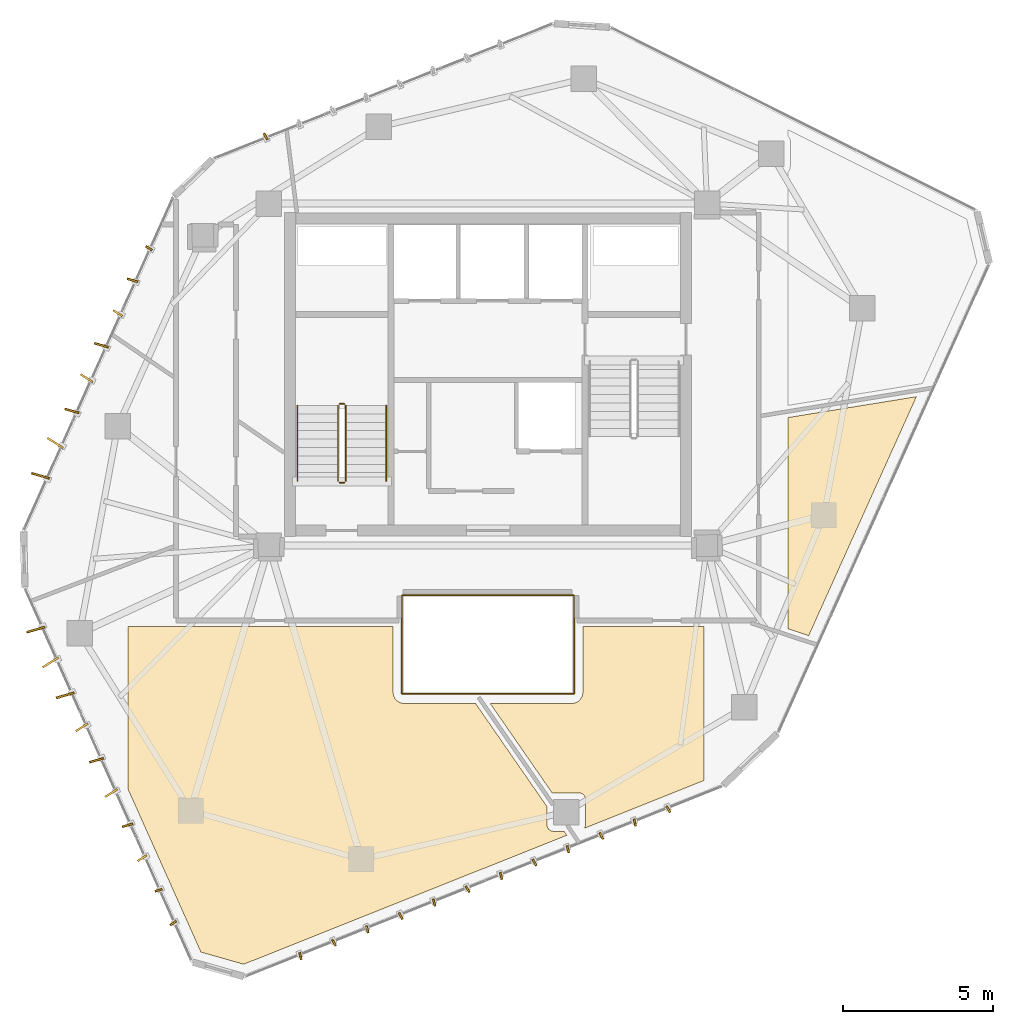
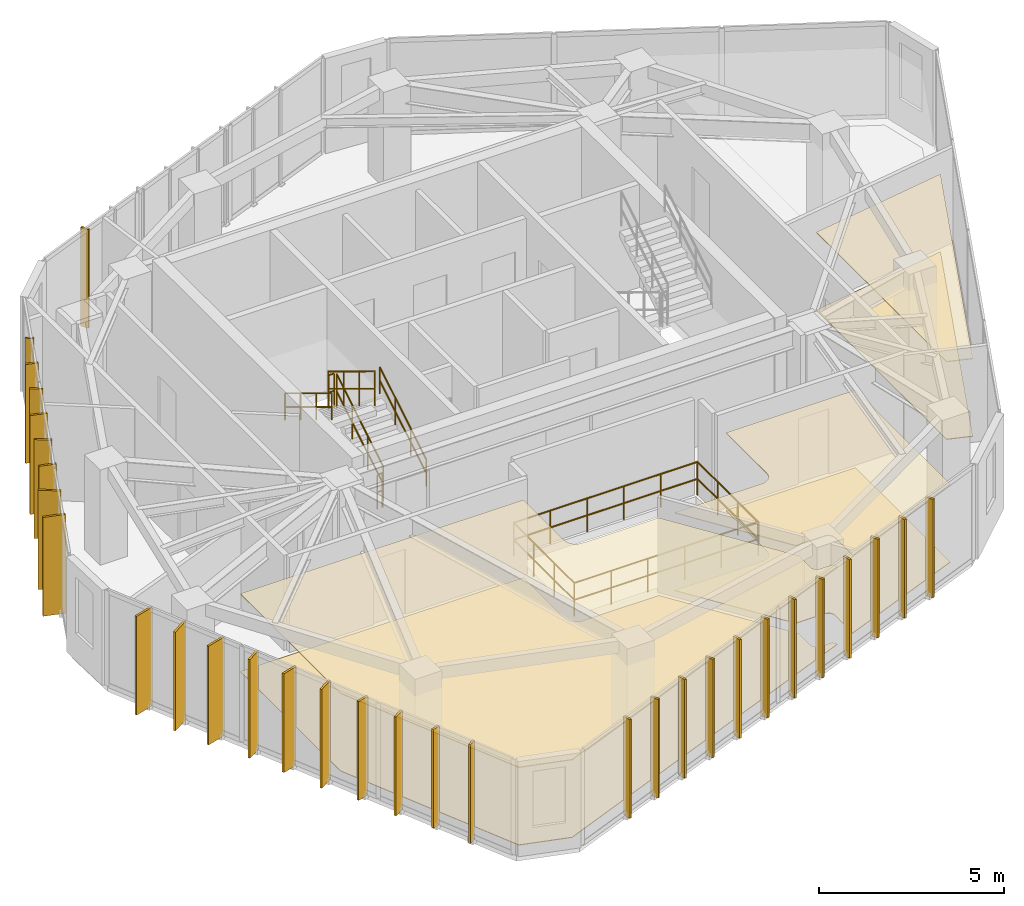
# One storey, part 19 of 20: 31 shading devices, 10 railings, 6 coverings.
"""IFC4 building model written with IfcOpenShell, lengths in metres."""

from ifc_helpers import new_model, si_unit, direction, frame, origin, origin_2d, place, context, subcontext, project, spatial, polyline, rectangle, circle, outline, extrude, source, transform, mapped, material, layer, layer_set, type_object, type_shapes, element, save


model = new_model("IFC4")

# Units and contexts
model_context = context("Model", 3, precision=1e-05, world=origin(), true_north=direction((0.0, 1.0)))
body_context = subcontext(model_context, "Body", "Model", "MODEL_VIEW")
ifc_project = project(units=[si_unit("LENGTHUNIT", "METRE"), si_unit("AREAUNIT", "SQUARE_METRE"), si_unit("VOLUMEUNIT", "CUBIC_METRE"), si_unit("PLANEANGLEUNIT", "RADIAN"), si_unit("MASSUNIT", "GRAM", prefix="KILO")], contexts=[model_context])

# Site, building, storey
site_placement = place(None, origin())
site = spatial("IfcSite", under=ifc_project, at=site_placement, CompositionType="ELEMENT")
building_placement = place(site_placement, origin())
building = spatial("IfcBuilding", under=site, at=building_placement, Name="Talar Marvaseh", CompositionType="ELEMENT")
storey_placement = place(building_placement, frame((0.0, 0.0, 278.199951171875)))
storey = spatial("IfcBuildingStorey", under=building, at=storey_placement, Name="L74", CompositionType="ELEMENT", Elevation=278.199951171875)

# Railings
ifc_material_1 = material(Name="Stainless Steel Grade 316", Category="steel")
railing_type_1 = type_object("IfcRailingType", Name="Brushed Stainless Wall Pitch Handrail 900", PredefinedType="HANDRAIL", material=ifc_material_1)
railing_1_placement = place(storey_placement, frame((22.610107421875, 27.64990234375, 0.170166015625)))
element("IfcRailing", 1, at=railing_1_placement, inside=storey, type_object=railing_type_1, Name="L74 ST-1 stair handrail 1", PredefinedType="HANDRAIL", context=body_context, shape_type="SweptSolid", body=[
    extrude(circle(Radius=0.02392578125, at=origin_2d()), frame((0.0, 0.0, 0.8759765625), z_axis=(0.0, 0.854821627497, 0.518921945155), x_axis=(-1.0, 0.0, 0.0)), (0.0, 0.0, 1.0), 2.947998046875),
    extrude(circle(Radius=0.02392578125, at=origin_2d()), frame((0.0, 0.0, 0.42578125), z_axis=(0.0, 0.854821627497, 0.518921945155), x_axis=(-1.0, 0.0, 0.0)), (0.0, 0.0, 1.0), 2.947998046875),
    extrude(circle(Radius=0.02099609375, at=origin_2d()), origin(), (0.0, 0.0, 1.0), 0.851806640625),
    extrude(circle(Radius=0.02099609375, at=origin_2d()), frame((0.0, 0.840087890625, 0.510009765625)), (0.0, 0.0, 1.0), 0.851806640625),
    extrude(circle(Radius=0.02099609375, at=origin_2d()), frame((0.0, 1.679931640625, 1.019775390625)), (0.0, 0.0, 1.0), 0.851806640625),
    extrude(circle(Radius=0.02099609375, at=origin_2d()), frame((0.0, 2.52001953125, 1.52978515625)), (0.0, 0.0, 1.0), 0.851806640625),
])
railing_2_placement = place(storey_placement, frame((19.64990234375, 30.169921875, 1.8701171875)))
element("IfcRailing", 2, at=railing_2_placement, inside=storey, type_object=railing_type_1, Name="L74 ST-1 stair handrail 2", PredefinedType="HANDRAIL", context=body_context, shape_type="SweptSolid", body=[
    extrude(circle(Radius=0.02392578125, at=origin_2d()), frame((0.0, 0.0, 0.8759765625), z_axis=(0.0, -0.85478489116, 0.518982456201), x_axis=(1.0, 0.0, 0.0)), (0.0, 0.0, 1.0), 2.9482421875),
    extrude(circle(Radius=0.02392578125, at=origin_2d()), frame((0.0, 0.0, 0.42578125), z_axis=(0.0, -0.85478489116, 0.518982456201), x_axis=(1.0, 0.0, 0.0)), (0.0, 0.0, 1.0), 2.9482421875),
    extrude(circle(Radius=0.02099609375, at=origin_2d()), origin(), (0.0, 0.0, 1.0), 0.851806640625),
    extrude(circle(Radius=0.02099609375, at=origin_2d()), frame((0.0, -0.840087890625, 0.510009765625)), (0.0, 0.0, 1.0), 0.851806640625),
    extrude(circle(Radius=0.02099609375, at=origin_2d()), frame((0.0, -1.679931640625, 1.02001953125)), (0.0, 0.0, 1.0), 0.851806640625),
    extrude(circle(Radius=0.02099609375, at=origin_2d()), frame((0.0, -2.52001953125, 1.530029296875)), (0.0, 0.0, 1.0), 0.851806640625),
])
ifc_material_2 = material(Name="Tempered Clear Glass", Category="glass")
railing_type_2 = type_object("IfcRailingType", Name="Interior Atrium Edge Balustrade 1120", PredefinedType="BALUSTRADE", material=ifc_material_2)
railing_3_placement = place(storey_placement, frame((23.130615234375, 20.560302734375, 0.0)))
element("IfcRailing", 3, at=railing_3_placement, inside=storey, type_object=railing_type_2, Name="L74 Internal Daylight Atrium Balustrade 1", PredefinedType="BALUSTRADE", context=body_context, shape_type="SweptSolid", body=[
    extrude(circle(Radius=0.02392578125, at=origin_2d()), frame((0.0, 0.0, 1.09619140625), z_axis=(1.0, 0.0, 0.0), x_axis=(0.0, 1.0, 0.0)), (0.0, 0.0, 1.0), 5.73876953125),
    extrude(circle(Radius=0.02392578125, at=origin_2d()), frame((0.0, 0.0, 0.5361328125), z_axis=(1.0, 0.0, 0.0), x_axis=(0.0, 1.0, 0.0)), (0.0, 0.0, 1.0), 5.73876953125),
    extrude(circle(Radius=0.02099609375, at=origin_2d()), origin(), (0.0, 0.0, 1.0), 1.072021484375),
    extrude(circle(Radius=0.02099609375, at=origin_2d()), frame((1.147705078125, 0.0, 0.0)), (0.0, 0.0, 1.0), 1.072021484375),
    extrude(circle(Radius=0.02099609375, at=origin_2d()), frame((2.29541015625, 0.0, 0.0)), (0.0, 0.0, 1.0), 1.072021484375),
    extrude(circle(Radius=0.02099609375, at=origin_2d()), frame((3.443359375, 0.0, 0.0)), (0.0, 0.0, 1.0), 1.072021484375),
    extrude(circle(Radius=0.02099609375, at=origin_2d()), frame((4.591064453125, 0.0, 0.0)), (0.0, 0.0, 1.0), 1.072021484375),
    extrude(circle(Radius=0.02099609375, at=origin_2d()), frame((5.73876953125, 0.0, 0.0)), (0.0, 0.0, 1.0), 1.072021484375),
])
railing_4_placement = place(storey_placement, frame((28.869384765625, 20.560302734375, 0.0)))
element("IfcRailing", 4, at=railing_4_placement, inside=storey, type_object=railing_type_2, Name="L74 Internal Daylight Atrium Balustrade 2", PredefinedType="BALUSTRADE", context=body_context, shape_type="SweptSolid", body=[
    extrude(circle(Radius=0.02392578125, at=origin_2d()), frame((0.0, 0.0, 1.09619140625), z_axis=(0.0, 1.0, 0.0), x_axis=(-1.0, 0.0, 0.0)), (0.0, 0.0, 1.0), 3.279296875),
    extrude(circle(Radius=0.02392578125, at=origin_2d()), frame((0.0, 0.0, 0.5361328125), z_axis=(0.0, 1.0, 0.0), x_axis=(-1.0, 0.0, 0.0)), (0.0, 0.0, 1.0), 3.279296875),
    extrude(circle(Radius=0.02099609375, at=origin_2d()), origin(), (0.0, 0.0, 1.0), 1.072021484375),
    extrude(circle(Radius=0.02099609375, at=origin_2d()), frame((0.0, 1.093017578125, 0.0)), (0.0, 0.0, 1.0), 1.072021484375),
    extrude(circle(Radius=0.02099609375, at=origin_2d()), frame((0.0, 2.186279296875, 0.0)), (0.0, 0.0, 1.0), 1.072021484375),
    extrude(circle(Radius=0.02099609375, at=origin_2d()), frame((0.0, 3.279296875, 0.0)), (0.0, 0.0, 1.0), 1.072021484375),
])
railing_5_placement = place(storey_placement, frame((28.869384765625, 23.839599609375, 0.0)))
element("IfcRailing", 5, at=railing_5_placement, inside=storey, type_object=railing_type_2, Name="L74 Internal Daylight Atrium Balustrade 3", PredefinedType="BALUSTRADE", context=body_context, shape_type="SweptSolid", body=[
    extrude(circle(Radius=0.02392578125, at=origin_2d()), frame((0.0, 0.0, 1.09619140625), z_axis=(-1.0, 0.0, 0.0), x_axis=(0.0, -1.0, 0.0)), (0.0, 0.0, 1.0), 5.73876953125),
    extrude(circle(Radius=0.02392578125, at=origin_2d()), frame((0.0, 0.0, 0.5361328125), z_axis=(-1.0, 0.0, 0.0), x_axis=(0.0, -1.0, 0.0)), (0.0, 0.0, 1.0), 5.73876953125),
    extrude(circle(Radius=0.02099609375, at=origin_2d()), origin(), (0.0, 0.0, 1.0), 1.072021484375),
    extrude(circle(Radius=0.02099609375, at=origin_2d()), frame((-1.147705078125, 0.0, 0.0)), (0.0, 0.0, 1.0), 1.072021484375),
    extrude(circle(Radius=0.02099609375, at=origin_2d()), frame((-2.29541015625, 0.0, 0.0)), (0.0, 0.0, 1.0), 1.072021484375),
    extrude(circle(Radius=0.02099609375, at=origin_2d()), frame((-3.443359375, 0.0, 0.0)), (0.0, 0.0, 1.0), 1.072021484375),
    extrude(circle(Radius=0.02099609375, at=origin_2d()), frame((-4.591064453125, 0.0, 0.0)), (0.0, 0.0, 1.0), 1.072021484375),
    extrude(circle(Radius=0.02099609375, at=origin_2d()), frame((-5.73876953125, 0.0, 0.0)), (0.0, 0.0, 1.0), 1.072021484375),
])
railing_6_placement = place(storey_placement, frame((23.130615234375, 23.839599609375, 0.0)))
element("IfcRailing", 6, at=railing_6_placement, inside=storey, type_object=railing_type_2, Name="L74 Internal Daylight Atrium Balustrade 4", PredefinedType="BALUSTRADE", context=body_context, shape_type="SweptSolid", body=[
    extrude(circle(Radius=0.02392578125, at=origin_2d()), frame((0.0, 0.0, 1.09619140625), z_axis=(0.0, -1.0, 0.0), x_axis=(1.0, 0.0, 0.0)), (0.0, 0.0, 1.0), 3.279296875),
    extrude(circle(Radius=0.02392578125, at=origin_2d()), frame((0.0, 0.0, 0.5361328125), z_axis=(0.0, -1.0, 0.0), x_axis=(1.0, 0.0, 0.0)), (0.0, 0.0, 1.0), 3.279296875),
    extrude(circle(Radius=0.02099609375, at=origin_2d()), origin(), (0.0, 0.0, 1.0), 1.072021484375),
    extrude(circle(Radius=0.02099609375, at=origin_2d()), frame((0.0, -1.093017578125, 0.0)), (0.0, 0.0, 1.0), 1.072021484375),
    extrude(circle(Radius=0.02099609375, at=origin_2d()), frame((0.0, -2.186279296875, 0.0)), (0.0, 0.0, 1.0), 1.072021484375),
    extrude(circle(Radius=0.02099609375, at=origin_2d()), frame((0.0, -3.279296875, 0.0)), (0.0, 0.0, 1.0), 1.072021484375),
])
railing_type_3 = type_object("IfcRailingType", Name="Painted Steel Core Stair Well Guardrail 1150", PredefinedType="GUARDRAIL", material=ifc_material_1)
railing_7_placement = place(storey_placement, frame((21.260009765625, 27.64990234375, 0.170166015625)))
element("IfcRailing", 7, at=railing_7_placement, inside=storey, type_object=railing_type_3, Name="L74 ST-1 stair guard 1", PredefinedType="GUARDRAIL", context=body_context, shape_type="SweptSolid", body=[
    extrude(circle(Radius=0.02392578125, at=origin_2d()), frame((0.0, 0.0, 1.1259765625), z_axis=(0.0, 0.854821627497, 0.518921945155), x_axis=(-1.0, 0.0, 0.0)), (0.0, 0.0, 1.0), 2.947998046875),
    extrude(circle(Radius=0.02392578125, at=origin_2d()), frame((0.0, 0.0, 0.55078125), z_axis=(0.0, 0.854821627497, 0.518921945155), x_axis=(-1.0, 0.0, 0.0)), (0.0, 0.0, 1.0), 2.947998046875),
    extrude(circle(Radius=0.02099609375, at=origin_2d()), origin(), (0.0, 0.0, 1.0), 1.101806640625),
    extrude(circle(Radius=0.02099609375, at=origin_2d()), frame((0.0, 0.840087890625, 0.510009765625)), (0.0, 0.0, 1.0), 1.101806640625),
    extrude(circle(Radius=0.02099609375, at=origin_2d()), frame((0.0, 1.679931640625, 1.019775390625)), (0.0, 0.0, 1.0), 1.101806640625),
    extrude(circle(Radius=0.02099609375, at=origin_2d()), frame((0.0, 2.52001953125, 1.52978515625)), (0.0, 0.0, 1.0), 1.101806640625),
])
railing_8_placement = place(storey_placement, frame((21.2099609375, 30.219970703125, 1.699951171875)))
element("IfcRailing", 8, at=railing_8_placement, inside=storey, type_object=railing_type_3, Name="L74 ST-1 stair guard 2", PredefinedType="GUARDRAIL", context=body_context, shape_type="SweptSolid", body=[
    extrude(circle(Radius=0.02392578125, at=origin_2d()), frame((0.0, 0.0, 1.1259765625), z_axis=(-1.0, 0.0, 0.0), x_axis=(0.0, -1.0, 0.0)), (0.0, 0.0, 1.0), 0.159912109375),
    extrude(circle(Radius=0.02392578125, at=origin_2d()), frame((0.0, 0.0, 0.55078125), z_axis=(-1.0, 0.0, 0.0), x_axis=(0.0, -1.0, 0.0)), (0.0, 0.0, 1.0), 0.159912109375),
    extrude(circle(Radius=0.02099609375, at=origin_2d()), origin(), (0.0, 0.0, 1.0), 1.101806640625),
    extrude(circle(Radius=0.02099609375, at=origin_2d()), frame((-0.159912109375, 0.0, 0.0)), (0.0, 0.0, 1.0), 1.101806640625),
])
railing_9_placement = place(storey_placement, frame((21.0, 30.169921875, 1.8701171875)))
element("IfcRailing", 9, at=railing_9_placement, inside=storey, type_object=railing_type_3, Name="L74 ST-1 stair guard 3", PredefinedType="GUARDRAIL", context=body_context, shape_type="SweptSolid", body=[
    extrude(circle(Radius=0.02392578125, at=origin_2d()), frame((0.0, 0.0, 1.1259765625), z_axis=(0.0, -0.85478489116, 0.518982456201), x_axis=(1.0, 0.0, 0.0)), (0.0, 0.0, 1.0), 2.9482421875),
    extrude(circle(Radius=0.02392578125, at=origin_2d()), frame((0.0, 0.0, 0.55078125), z_axis=(0.0, -0.85478489116, 0.518982456201), x_axis=(1.0, 0.0, 0.0)), (0.0, 0.0, 1.0), 2.9482421875),
    extrude(circle(Radius=0.02099609375, at=origin_2d()), origin(), (0.0, 0.0, 1.0), 1.101806640625),
    extrude(circle(Radius=0.02099609375, at=origin_2d()), frame((0.0, -0.840087890625, 0.510009765625)), (0.0, 0.0, 1.0), 1.101806640625),
    extrude(circle(Radius=0.02099609375, at=origin_2d()), frame((0.0, -1.679931640625, 1.02001953125)), (0.0, 0.0, 1.0), 1.101806640625),
    extrude(circle(Radius=0.02099609375, at=origin_2d()), frame((0.0, -2.52001953125, 1.530029296875)), (0.0, 0.0, 1.0), 1.101806640625),
])
railing_10_placement = place(storey_placement, frame((21.2099609375, 27.60009765625, 0.0)))
element("IfcRailing", 10, at=railing_10_placement, inside=storey, type_object=railing_type_3, Name="L74 ST-1 stair guard 4", PredefinedType="GUARDRAIL", context=body_context, shape_type="SweptSolid", body=[
    extrude(circle(Radius=0.02392578125, at=origin_2d()), frame((0.0, 0.0, 1.1259765625), z_axis=(-1.0, 0.0, 0.0), x_axis=(0.0, -1.0, 0.0)), (0.0, 0.0, 1.0), 0.159912109375),
    extrude(circle(Radius=0.02392578125, at=origin_2d()), frame((0.0, 0.0, 0.55078125), z_axis=(-1.0, 0.0, 0.0), x_axis=(0.0, -1.0, 0.0)), (0.0, 0.0, 1.0), 0.159912109375),
    extrude(circle(Radius=0.02099609375, at=origin_2d()), origin(), (0.0, 0.0, 1.0), 1.101806640625),
    extrude(circle(Radius=0.02099609375, at=origin_2d()), frame((-0.159912109375, 0.0, 0.0)), (0.0, 0.0, 1.0), 1.101806640625),
])

# Coverings
ifc_material_3 = material(Name="Mineral Fibre Acoustic Ceiling")
ifc_layer_1 = layer(ifc_material_3, 0.02490234375)
ifc_layer_set_1 = layer_set([ifc_layer_1], Name="Mineral Fibre Acoustic Ceiling")
covering_type_1 = type_object("IfcCoveringType", Name="Perforated Mineral Fibre Acoustic Suspended Ceiling", PredefinedType="CEILING", material=ifc_layer_set_1)
covering_1_placement = place(storey_placement, frame((0.0, 0.0, 2.56005859375)))
element("IfcCovering", 11, at=covering_1_placement, inside=storey, type_object=covering_type_1, Name="L74 Museum Publication Bookshop Acoustic Ceiling", PredefinedType="CEILING", context=body_context, shape_type="SweptSolid", body=[
    extrude(outline(polyline([(22.840087890625, 20.60009765625), (22.841064453125, 20.580322265625), (22.843994140625, 20.560791015625), (22.856201171875, 20.499755859375), (22.86181640625, 20.4775390625), (22.8701171875, 20.456298828125), (22.880615234375, 20.436279296875), (22.90478515625, 20.39599609375), (22.91552734375, 20.37939453125), (22.927978515625, 20.3642578125), (22.94189453125, 20.350341796875), (22.957275390625, 20.337890625), (23.019775390625, 20.29150390625), (23.0380859375, 20.279296875), (23.057861328125, 20.269287109375), (23.078369140625, 20.261474609375), (23.099609375, 20.256103515625), (23.160888671875, 20.243896484375), (23.180419921875, 20.240966796875), (23.199951171875, 20.239990234375), (25.58349609375, 20.239990234375), (27.965087890625, 16.80029296875), (27.967529296875, 16.18310546875), (27.968505859375, 16.16357421875), (27.971435546875, 16.14404296875), (27.976318359375, 16.125244140625), (27.98291015625, 16.106689453125), (27.9912109375, 16.089111328125), (28.001220703125, 16.072509765625), (28.012939453125, 16.056640625), (28.026123046875, 16.042236328125), (28.04052734375, 16.029052734375), (28.056396484375, 16.017578125), (28.072998046875, 16.00732421875), (28.08544921875, 16.000732421875), (28.103271484375, 15.9921875), (28.121826171875, 15.985595703125), (28.140869140625, 15.98095703125), (28.160400390625, 15.97802734375), (28.179931640625, 15.97705078125), (28.53515625, 15.97705078125), (28.62744140625, 15.84375), (17.858154296875, 11.54541015625), (16.430908203125, 11.949951171875), (14.0, 17.38525390625), (14.0, 22.800048828125), (15.60009765625, 22.800048828125), (22.840087890625, 22.800048828125), (22.840087890625, 20.60009765625)])), origin(), (0.0, 0.0, 1.0), 0.02490234375),
])
covering_2_placement = place(storey_placement, frame((0.0, 0.0, 2.56005859375)))
element("IfcCovering", 12, at=covering_2_placement, inside=storey, type_object=covering_type_1, Name="L74 Hospitality Tea Pantry Acoustic Ceiling", PredefinedType="CEILING", context=body_context, shape_type="SweptSolid", body=[
    extrude(outline(polyline([(28.800048828125, 20.239990234375), (28.819580078125, 20.240966796875), (28.839111328125, 20.243896484375), (28.900390625, 20.256103515625), (28.92236328125, 20.26171875), (28.943603515625, 20.27001953125), (28.9638671875, 20.280517578125), (29.004150390625, 20.3046875), (29.0205078125, 20.315673828125), (29.035888671875, 20.328125), (29.0498046875, 20.342041015625), (29.062255859375, 20.357177734375), (29.1083984375, 20.419677734375), (29.12060546875, 20.43798828125), (29.130615234375, 20.457763671875), (29.138427734375, 20.478515625), (29.143798828125, 20.499755859375), (29.156005859375, 20.560791015625), (29.158935546875, 20.580322265625), (29.159912109375, 20.60009765625), (29.159912109375, 22.800048828125), (33.199951171875, 22.800048828125), (33.199951171875, 17.6689453125), (29.211181640625, 16.076904296875), (29.220458984375, 16.09228515625), (29.228759765625, 16.110107421875), (29.2353515625, 16.12841796875), (29.239990234375, 16.147705078125), (29.242919921875, 16.1669921875), (29.243896484375, 16.1865234375), (29.242431640625, 17.050537109375), (29.241455078125, 17.0703125), (29.238525390625, 17.089599609375), (29.23388671875, 17.1083984375), (29.227294921875, 17.126953125), (29.218994140625, 17.14453125), (29.208740234375, 17.161376953125), (29.197021484375, 17.17724609375), (29.18408203125, 17.191650390625), (29.16943359375, 17.204833984375), (29.15380859375, 17.216552734375), (29.136962890625, 17.2265625), (29.12451171875, 17.2333984375), (29.106689453125, 17.24169921875), (29.088134765625, 17.248291015625), (29.069091796875, 17.253173828125), (29.049560546875, 17.256103515625), (29.02978515625, 17.257080078125), (28.177001953125, 17.256591796875), (28.15625, 17.255615234375), (28.138427734375, 17.252685546875), (26.070068359375, 20.239990234375), (28.800048828125, 20.239990234375)])), origin(), (0.0, 0.0, 1.0), 0.02490234375),
])
covering_3_placement = place(storey_placement, frame((0.0, 0.0, 2.56005859375)))
element("IfcCovering", 13, at=covering_3_placement, inside=storey, type_object=covering_type_1, Name="L74 Artisan Craft Showroom Acoustic Ceiling", PredefinedType="CEILING", context=body_context, shape_type="SweptSolid", body=[
    extrude(outline(polyline([(36.688720703125, 22.498779296875), (36.0, 22.724853515625), (36.0, 29.767578125), (40.27783203125, 30.462646484375), (36.688720703125, 22.498779296875)])), origin(), (0.0, 0.0, 1.0), 0.02490234375),
])
ifc_material_4 = material(Name="Porcelain Stoneware Tile", Category="masonry")
ifc_layer_2 = layer(ifc_material_4, 0.02001953125)
ifc_layer_set_2 = layer_set([ifc_layer_2], Name="Porcelain Stoneware Tile")
covering_type_2 = type_object("IfcCoveringType", Name="Polished Porcelain Stoneware Gallery Flooring", PredefinedType="FLOORING", material=ifc_layer_set_2)
covering_4_placement = place(storey_placement, origin())
element("IfcCovering", 14, at=covering_4_placement, inside=storey, type_object=covering_type_2, Name="L74 Museum Publication Bookshop Flooring", PredefinedType="FLOORING", context=body_context, shape_type="SweptSolid", body=[
    extrude(outline(polyline([(22.840087890625, 20.60009765625), (22.841064453125, 20.580322265625), (22.843994140625, 20.560791015625), (22.856201171875, 20.499755859375), (22.86181640625, 20.4775390625), (22.8701171875, 20.456298828125), (22.880615234375, 20.436279296875), (22.90478515625, 20.39599609375), (22.91552734375, 20.37939453125), (22.927978515625, 20.3642578125), (22.94189453125, 20.350341796875), (22.957275390625, 20.337890625), (23.019775390625, 20.29150390625), (23.0380859375, 20.279296875), (23.057861328125, 20.269287109375), (23.078369140625, 20.261474609375), (23.099609375, 20.256103515625), (23.160888671875, 20.243896484375), (23.180419921875, 20.240966796875), (23.199951171875, 20.239990234375), (25.58349609375, 20.239990234375), (27.965087890625, 16.80029296875), (27.967529296875, 16.18310546875), (27.968505859375, 16.16357421875), (27.971435546875, 16.14404296875), (27.976318359375, 16.125244140625), (27.98291015625, 16.106689453125), (27.9912109375, 16.089111328125), (28.001220703125, 16.072509765625), (28.012939453125, 16.056640625), (28.026123046875, 16.042236328125), (28.04052734375, 16.029052734375), (28.056396484375, 16.017578125), (28.072998046875, 16.00732421875), (28.08544921875, 16.000732421875), (28.103271484375, 15.9921875), (28.121826171875, 15.985595703125), (28.140869140625, 15.98095703125), (28.160400390625, 15.97802734375), (28.179931640625, 15.97705078125), (28.53515625, 15.97705078125), (28.62744140625, 15.84375), (17.858154296875, 11.54541015625), (16.430908203125, 11.949951171875), (14.0, 17.38525390625), (14.0, 22.800048828125), (15.60009765625, 22.800048828125), (22.840087890625, 22.800048828125), (22.840087890625, 20.60009765625)])), origin(), (0.0, 0.0, 1.0), 0.02001953125),
])
covering_5_placement = place(storey_placement, origin())
element("IfcCovering", 15, at=covering_5_placement, inside=storey, type_object=covering_type_2, Name="L74 Hospitality Tea Pantry Flooring", PredefinedType="FLOORING", context=body_context, shape_type="SweptSolid", body=[
    extrude(outline(polyline([(28.800048828125, 20.239990234375), (28.819580078125, 20.240966796875), (28.839111328125, 20.243896484375), (28.900390625, 20.256103515625), (28.92236328125, 20.26171875), (28.943603515625, 20.27001953125), (28.9638671875, 20.280517578125), (29.004150390625, 20.3046875), (29.0205078125, 20.315673828125), (29.035888671875, 20.328125), (29.0498046875, 20.342041015625), (29.062255859375, 20.357177734375), (29.1083984375, 20.419677734375), (29.12060546875, 20.43798828125), (29.130615234375, 20.457763671875), (29.138427734375, 20.478515625), (29.143798828125, 20.499755859375), (29.156005859375, 20.560791015625), (29.158935546875, 20.580322265625), (29.159912109375, 20.60009765625), (29.159912109375, 22.800048828125), (33.199951171875, 22.800048828125), (33.199951171875, 17.6689453125), (29.211181640625, 16.076904296875), (29.220458984375, 16.09228515625), (29.228759765625, 16.110107421875), (29.2353515625, 16.12841796875), (29.239990234375, 16.147705078125), (29.242919921875, 16.1669921875), (29.243896484375, 16.1865234375), (29.242431640625, 17.050537109375), (29.241455078125, 17.0703125), (29.238525390625, 17.089599609375), (29.23388671875, 17.1083984375), (29.227294921875, 17.126953125), (29.218994140625, 17.14453125), (29.208740234375, 17.161376953125), (29.197021484375, 17.17724609375), (29.18408203125, 17.191650390625), (29.16943359375, 17.204833984375), (29.15380859375, 17.216552734375), (29.136962890625, 17.2265625), (29.12451171875, 17.2333984375), (29.106689453125, 17.24169921875), (29.088134765625, 17.248291015625), (29.069091796875, 17.253173828125), (29.049560546875, 17.256103515625), (29.02978515625, 17.257080078125), (28.177001953125, 17.256591796875), (28.15625, 17.255615234375), (28.138427734375, 17.252685546875), (26.070068359375, 20.239990234375), (28.800048828125, 20.239990234375)])), origin(), (0.0, 0.0, 1.0), 0.02001953125),
])
covering_6_placement = place(storey_placement, origin())
element("IfcCovering", 16, at=covering_6_placement, inside=storey, type_object=covering_type_2, Name="L74 Artisan Craft Showroom Flooring", PredefinedType="FLOORING", context=body_context, shape_type="SweptSolid", body=[
    extrude(outline(polyline([(36.688720703125, 22.498779296875), (36.0, 22.724853515625), (36.0, 29.767578125), (40.27783203125, 30.462646484375), (36.688720703125, 22.498779296875)])), origin(), (0.0, 0.0, 1.0), 0.02001953125),
])

# Shading devices
ifc_material_5 = material(Name="Anodised Champagne Bronze Aluminium", Category="aluminium")
ifc_layer_3 = layer(ifc_material_5, 0.06494140625)
ifc_layer_set_3 = layer_set([ifc_layer_3], Name="Anodised Champagne Bronze Aluminium")
shading_device_type_1 = type_object("IfcShadingDeviceType", Name="Sawtooth Champagne Bronze Vertical Fin 240", PredefinedType="USERDEFINED", material=ifc_layer_set_3)
shared_shape_1 = source(origin(), body_context, "Body", "SweptSolid", [
    extrude(rectangle(XDim=0.239990234375, YDim=0.06494140625, at=origin_2d()), origin(), (0.0, 0.0, 1.0), 3.260009765625),
])
type_shapes(shading_device_type_1, [shared_shape_1])
for number, where, z_axis, x_axis, name in (
    (17, (15.510986328125, 12.9169921875, -0.1201171875), (0.0, 0.0, 1.0), (-0.847121921382, -0.531398579518, 0.0), "L74 Sawtooth Vertical Solar Fin"),
    (18, (15.02099609375, 14.012451171875, -0.1201171875), (0.0, 0.0, 1.0), (-0.960779154158, -0.277314653302, 0.0), "L74 Sawtooth Vertical Solar Fin"),
    (19, (14.698974609375, 35.410400390625, -0.1201171875), (0.0, 0.0, 1.0), (-0.846379123481, 0.532580866475, 0.0), "L74 Sawtooth Vertical Solar Fin"),
    (20, (18.590087890625, 39.135498046875, -0.1201171875), (0.0, 0.0, 1.0), (-0.495155428655, 0.868804409216, 0.0), "L74 Sawtooth Vertical Solar Fin"),
    (21, (32.007080078125, 16.713623046875, -0.1201171875), (0.0, 0.0, 1.0), (0.496368025395, -0.868112195148, 0.0), "L74 Sawtooth Vertical Solar Fin"),
    (22, (30.892578125, 16.268798828125, -0.1201171875), (0.0, 0.0, 1.0), (0.237855419878, -0.971300571005, 0.0), "L74 Sawtooth Vertical Solar Fin"),
    (23, (29.7783203125, 15.823974609375, -0.1201171875), (0.0, 0.0, 1.0), (0.496368025395, -0.868112195148, 0.0), "L74 Sawtooth Vertical Solar Fin"),
    (24, (28.663818359375, 15.379150390625, -0.1201171875), (0.0, 0.0, 1.0), (0.237855419878, -0.971300571005, 0.0), "L74 Sawtooth Vertical Solar Fin"),
    (25, (27.54931640625, 14.934326171875, -0.1201171875), (0.0, 0.0, 1.0), (0.496368025395, -0.868112195148, 0.0), "L74 Sawtooth Vertical Solar Fin"),
    (26, (26.434814453125, 14.489501953125, -0.1201171875), (0.0, 0.0, 1.0), (0.237855419878, -0.971300571005, 0.0), "L74 Sawtooth Vertical Solar Fin"),
    (27, (25.3203125, 14.044677734375, -0.1201171875), (0.0, 0.0, 1.0), (0.496368025395, -0.868112195148, 0.0), "L74 Sawtooth Vertical Solar Fin"),
    (28, (24.205810546875, 13.599853515625, -0.1201171875), (0.0, 0.0, 1.0), (0.237855419878, -0.971300571005, 0.0), "L74 Sawtooth Vertical Solar Fin"),
    (29, (23.09130859375, 13.15478515625, -0.1201171875), (0.0, 0.0, 1.0), (0.496368025395, -0.868112195148, 0.0), "L74 Sawtooth Vertical Solar Fin"),
    (30, (21.976806640625, 12.710205078125, -0.1201171875), (0.0, 0.0, 1.0), (0.237855419878, -0.971300571005, 0.0), "L74 Sawtooth Vertical Solar Fin"),
    (31, (20.8623046875, 12.26513671875, -0.1201171875), (0.0, 0.0, 1.0), (0.496368025395, -0.868112195148, 0.0), "L74 Sawtooth Vertical Solar Fin"),
    (32, (19.747802734375, 11.8203125, -0.1201171875), (0.0, 0.0, 1.0), (0.237855419878, -0.971300571005, 0.0), "L74 Sawtooth Vertical Solar Fin"),
):
    element("IfcShadingDevice", number, at=place(storey_placement, frame(where, z_axis=z_axis, x_axis=x_axis)), inside=storey, type_object=shading_device_type_1, Name=name, ObjectType="FIN", PredefinedType="USERDEFINED", context=body_context, shape_type="MappedRepresentation", body=[
        mapped(shared_shape_1, transform((0.0, 0.0, 0.0), x_axis=(1.0, 0.0, 0.0), y_axis=(0.0, 1.0, 0.0), z_axis=(0.0, 0.0, 1.0), scale=1.0)),
    ])
ifc_layer_4 = layer(ifc_material_5, 0.06494140625)
ifc_layer_set_4 = layer_set([ifc_layer_4], Name="Anodised Champagne Bronze Aluminium")
shading_device_type_2 = type_object("IfcShadingDeviceType", Name="Sawtooth Champagne Bronze Vertical Fin 360", PredefinedType="USERDEFINED", material=ifc_layer_set_4)
shared_shape_2 = source(origin(), body_context, "Body", "SweptSolid", [
    extrude(rectangle(XDim=0.360107421875, YDim=0.06494140625, at=origin_2d()), origin(), (0.0, 0.0, 1.0), 3.260009765625),
])
type_shapes(shading_device_type_2, [shared_shape_2])
for number, where, z_axis, x_axis, name in (
    (33, (14.476318359375, 15.08349609375, -0.1201171875), (0.0, 0.0, 1.0), (-0.847121921382, -0.531398579518, 0.0), "L74 Sawtooth Vertical Solar Fin"),
    (34, (13.986328125, 16.178955078125, -0.1201171875), (0.0, 0.0, 1.0), (-0.960779154158, -0.277314653302, 0.0), "L74 Sawtooth Vertical Solar Fin"),
    (35, (13.660888671875, 33.24560546875, -0.1201171875), (0.0, 0.0, 1.0), (-0.846379123481, 0.532580866475, 0.0), "L74 Sawtooth Vertical Solar Fin"),
    (36, (14.152587890625, 34.34033203125, -0.1201171875), (0.0, 0.0, 1.0), (-0.960391013438, 0.278655883317, 0.0), "L74 Sawtooth Vertical Solar Fin"),
):
    element("IfcShadingDevice", number, at=place(storey_placement, frame(where, z_axis=z_axis, x_axis=x_axis)), inside=storey, type_object=shading_device_type_2, Name=name, ObjectType="FIN", PredefinedType="USERDEFINED", context=body_context, shape_type="MappedRepresentation", body=[
        mapped(shared_shape_2, transform((0.0, 0.0, 0.0), x_axis=(1.0, 0.0, 0.0), y_axis=(0.0, 1.0, 0.0), z_axis=(0.0, 0.0, 1.0), scale=1.0)),
    ])
ifc_layer_5 = layer(ifc_material_5, 0.06494140625)
ifc_layer_set_5 = layer_set([ifc_layer_5], Name="Anodised Champagne Bronze Aluminium")
shading_device_type_3 = type_object("IfcShadingDeviceType", Name="Sawtooth Champagne Bronze Vertical Fin 480", PredefinedType="USERDEFINED", material=ifc_layer_set_5)
shared_shape_3 = source(origin(), body_context, "Body", "SweptSolid", [
    extrude(rectangle(XDim=0.47998046875, YDim=0.06494140625, at=origin_2d()), origin(), (0.0, 0.0, 1.0), 3.260009765625),
])
type_shapes(shading_device_type_3, [shared_shape_3])
for number, where, z_axis, x_axis, name in (
    (37, (13.441650390625, 17.249755859375, -0.1201171875), (0.0, 0.0, 1.0), (-0.847121921382, -0.531398579518, 0.0), "L74 Sawtooth Vertical Solar Fin"),
    (38, (12.95166015625, 18.34521484375, -0.1201171875), (0.0, 0.0, 1.0), (-0.960779154158, -0.277314653302, 0.0), "L74 Sawtooth Vertical Solar Fin"),
    (39, (12.4619140625, 19.440673828125, -0.1201171875), (0.0, 0.0, 1.0), (-0.847121921382, -0.531398579518, 0.0), "L74 Sawtooth Vertical Solar Fin"),
    (40, (12.131591796875, 29.986083984375, -0.1201171875), (0.0, 0.0, 1.0), (-0.960391013438, 0.278655883317, 0.0), "L74 Sawtooth Vertical Solar Fin"),
    (41, (12.623291015625, 31.080810546875, -0.1201171875), (0.0, 0.0, 1.0), (-0.846379123481, 0.532580866475, 0.0), "L74 Sawtooth Vertical Solar Fin"),
    (42, (13.11474609375, 32.175537109375, -0.1201171875), (0.0, 0.0, 1.0), (-0.960391013438, 0.278655883317, 0.0), "L74 Sawtooth Vertical Solar Fin"),
):
    element("IfcShadingDevice", number, at=place(storey_placement, frame(where, z_axis=z_axis, x_axis=x_axis)), inside=storey, type_object=shading_device_type_3, Name=name, ObjectType="FIN", PredefinedType="USERDEFINED", context=body_context, shape_type="MappedRepresentation", body=[
        mapped(shared_shape_3, transform((0.0, 0.0, 0.0), x_axis=(1.0, 0.0, 0.0), y_axis=(0.0, 1.0, 0.0), z_axis=(0.0, 0.0, 1.0), scale=1.0)),
    ])
ifc_layer_6 = layer(ifc_material_5, 0.06494140625)
ifc_layer_set_6 = layer_set([ifc_layer_6], Name="Anodised Champagne Bronze Aluminium")
shading_device_type_4 = type_object("IfcShadingDeviceType", Name="Sawtooth Champagne Bronze Vertical Fin 620", PredefinedType="USERDEFINED", material=ifc_layer_set_6)
shared_shape_4 = source(origin(), body_context, "Body", "SweptSolid", [
    extrude(rectangle(XDim=0.6201171875, YDim=0.06494140625, at=origin_2d()), origin(), (0.0, 0.0, 1.0), 3.260009765625),
])
type_shapes(shading_device_type_4, [shared_shape_4])
for number, where, z_axis, x_axis, name in (
    (43, (11.907958984375, 20.507568359375, -0.1201171875), (0.0, 0.0, 1.0), (-0.960779154158, -0.277314653302, 0.0), "L74 Sawtooth Vertical Solar Fin"),
    (44, (11.418212890625, 21.60302734375, -0.1201171875), (0.0, 0.0, 1.0), (-0.847121921382, -0.531398579518, 0.0), "L74 Sawtooth Vertical Solar Fin"),
    (45, (10.92822265625, 22.698486328125, -0.1201171875), (0.0, 0.0, 1.0), (-0.960779154158, -0.277314653302, 0.0), "L74 Sawtooth Vertical Solar Fin"),
    (46, (11.084716796875, 27.825439453125, -0.1201171875), (0.0, 0.0, 1.0), (-0.960391013438, 0.278655883317, 0.0), "L74 Sawtooth Vertical Solar Fin"),
    (47, (11.576171875, 28.920166015625, -0.1201171875), (0.0, 0.0, 1.0), (-0.846379123481, 0.532580866475, 0.0), "L74 Sawtooth Vertical Solar Fin"),
):
    element("IfcShadingDevice", number, at=place(storey_placement, frame(where, z_axis=z_axis, x_axis=x_axis)), inside=storey, type_object=shading_device_type_4, Name=name, ObjectType="FIN", PredefinedType="USERDEFINED", context=body_context, shape_type="MappedRepresentation", body=[
        mapped(shared_shape_4, transform((0.0, 0.0, 0.0), x_axis=(1.0, 0.0, 0.0), y_axis=(0.0, 1.0, 0.0), z_axis=(0.0, 0.0, 1.0), scale=1.0)),
    ])

save(model, "model.ifc")
